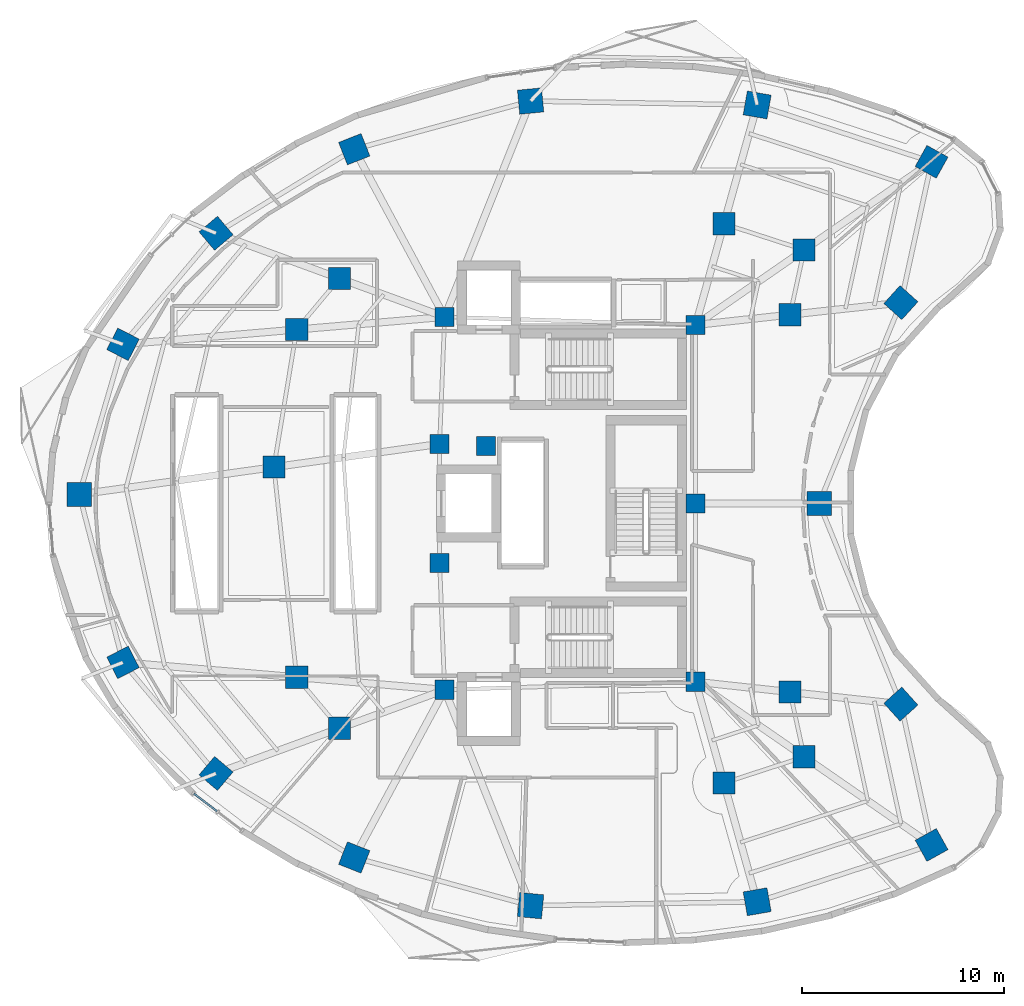
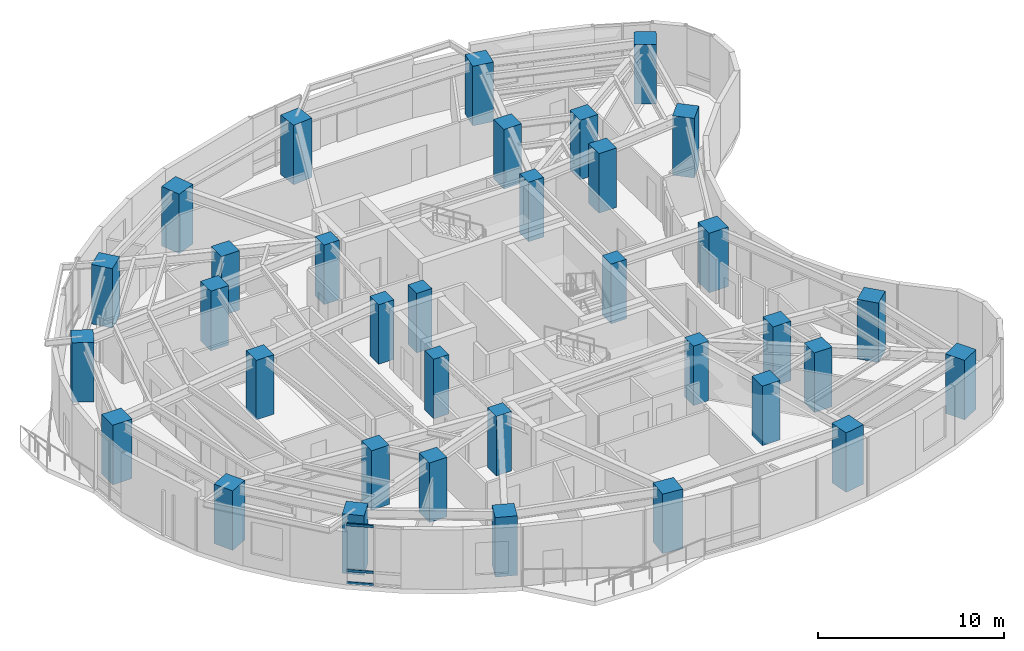
# One storey, part 1 of 15: 35 columns, 3 members, 1 element without a shape of its own.
"""IFC4 building model written with IfcOpenShell, lengths in metres."""

import ifcopenshell
import ifcopenshell.guid

model = None  # the IFC model being written
_history = None  # IfcOwnerHistory: only IFC2X3 demands one
_inside = {}  # id of a spatial element -> (the spatial element, [elements in it])
_under = {}  # id of a project, library or spatial element -> (it, [spatial elements below it])
_declared = {}  # id of a project -> (the project, [libraries it declares])
_typed = {}  # id of a type object -> (the type object, [elements of that type])
_made_of = {}  # id of a material, layer set ... -> (it, [elements and type objects made of it])


def new_model(schema):
    """Start an empty IFC model of exactly this schema.

    Asked for "IFC4X3", IfcOpenShell would pick the latest addendum, in which some entities
    have other attributes; the version numbers below select the first issue.
    IFC2X3 requires an IfcOwnerHistory on every rooted entity: one is made here for all.
    """
    global model, _history
    if schema == "IFC4X3":
        model = ifcopenshell.file(schema_version=(4, 3, 0, 0))
    else:
        model = ifcopenshell.file(schema=schema)
    _inside.clear()
    _under.clear()
    _declared.clear()
    _typed.clear()
    _made_of.clear()
    _history = None
    if model.schema == "IFC2X3":
        org = make("IfcOrganization", Name="unknown")
        user = make(
            "IfcPersonAndOrganization",
            ThePerson=make("IfcPerson", FamilyName="unknown"),
            TheOrganization=org,
        )
        app = make(
            "IfcApplication",
            ApplicationDeveloper=org,
            Version="unknown",
            ApplicationFullName="unknown",
            ApplicationIdentifier="unknown",
        )
        _history = make(
            "IfcOwnerHistory",
            OwningUser=user,
            OwningApplication=app,
            ChangeAction="ADDED",
            CreationDate=0,
        )
    return model


def make(cls, **values):
    """One entity of the class cls with the attributes given. An attribute that is None is left unset."""
    return model.create_entity(
        cls, **{name: value for name, value in values.items() if value is not None}
    )


def rooted(cls, **values):
    """An entity with a GlobalId (a new one), such as an element, a storey or a relation."""
    return make(cls, GlobalId=ifcopenshell.guid.new(), OwnerHistory=_history, **values)


def si_unit(unit_type, name, prefix=None):
    """IfcSIUnit, for example si_unit("LENGTHUNIT", "METRE", prefix="MILLI")."""
    return make("IfcSIUnit", UnitType=unit_type, Prefix=prefix, Name=name)


def assignment(units):
    """IfcUnitAssignment: the units of a project."""
    return None if units is None else make("IfcUnitAssignment", Units=units)


def point(xyz):
    """IfcCartesianPoint."""
    return None if xyz is None else make("IfcCartesianPoint", Coordinates=xyz)


def direction(xyz):
    """IfcDirection."""
    return None if xyz is None else make("IfcDirection", DirectionRatios=xyz)


def frame(location, z_axis=None, x_axis=None):
    """IfcAxis2Placement3D, a coordinate frame: its origin and axes. An axis left out is left unset."""
    return make(
        "IfcAxis2Placement3D",
        Location=point(location),
        Axis=direction(z_axis),
        RefDirection=direction(x_axis),
    )


def frame_2d(location, x_axis=None):
    """IfcAxis2Placement2D, a coordinate frame in the plane: its origin and x axis."""
    return make(
        "IfcAxis2Placement2D", Location=point(location), RefDirection=direction(x_axis)
    )


def origin():
    """The frame at (0, 0, 0) with its axes left unset."""
    return frame((0.0, 0.0, 0.0))


def origin_2d():
    """The frame at (0, 0) in the plane with its x axis left unset."""
    return frame_2d((0.0, 0.0))


def place(relative_to, where):
    """IfcLocalPlacement: puts the frame where relative to a parent placement (None: the world)."""
    return make(
        "IfcLocalPlacement", PlacementRelTo=relative_to, RelativePlacement=where
    )


def context(
    kind, dimensions, precision=None, world=None, true_north=None, identifier=None
):
    """IfcGeometricRepresentationContext, for example the 3D "Model" context."""
    return make(
        "IfcGeometricRepresentationContext",
        ContextIdentifier=identifier,
        ContextType=kind,
        CoordinateSpaceDimension=dimensions,
        Precision=precision,
        WorldCoordinateSystem=world,
        TrueNorth=true_north,
    )


def subcontext(parent, identifier, kind, view, scale=None):
    """IfcGeometricRepresentationSubContext, for example "Body" below "Model"."""
    return make(
        "IfcGeometricRepresentationSubContext",
        ContextIdentifier=identifier,
        ContextType=kind,
        ParentContext=parent,
        TargetScale=scale,
        TargetView=view,
    )


def project(units=None, contexts=None):
    """IfcProject with its units and contexts."""
    return rooted(
        "IfcProject",
        Name="project",
        RepresentationContexts=contexts,
        UnitsInContext=assignment(units),
    )


def spatial(cls, under=None, at=None, **own):
    """A site, building, storey or space (cls), placed at a placement, below another one or the project."""
    s = rooted(cls, ObjectPlacement=at, **own)
    if under is not None:
        _under.setdefault(under.id(), (under, []))[1].append(s)
    return s


def profile(cls, at=None, kind="AREA", **sizes):
    """A parametric profile (cls). Its sizes go by their IFC names, for example OverallWidth=200.0."""
    return make(cls, ProfileType=kind, Position=at, **sizes)


def rectangle(**sizes):
    """IfcRectangleProfileDef."""
    return profile("IfcRectangleProfileDef", **sizes)


def extrude(swept, where, along, depth):
    """IfcExtrudedAreaSolid: the profile swept, set in the frame where, extruded along a direction by depth."""
    return make(
        "IfcExtrudedAreaSolid",
        SweptArea=swept,
        Position=where,
        ExtrudedDirection=direction(along),
        Depth=depth,
    )


def shape(context_of_items, identifier, shape_type, items):
    """IfcShapeRepresentation: the items that make up one representation, for example the "Body"."""
    return make(
        "IfcShapeRepresentation",
        ContextOfItems=context_of_items,
        RepresentationIdentifier=identifier,
        RepresentationType=shape_type,
        Items=items,
    )


def material(Name=None, Category=None):
    """IfcMaterial."""
    return make("IfcMaterial", Name=Name, Category=Category)


def layer(
    of_material, thickness, ventilated=None, Name=None, Category=None, Priority=None
):
    """IfcMaterialLayer: one layer of a wall or slab, of a material (None: an air gap)."""
    return make(
        "IfcMaterialLayer",
        Material=of_material,
        LayerThickness=thickness,
        IsVentilated=ventilated,
        Name=Name,
        Category=Category,
        Priority=Priority,
    )


def layer_set(layers, Name=None):
    """IfcMaterialLayerSet."""
    return make("IfcMaterialLayerSet", MaterialLayers=layers, LayerSetName=Name)


def material_profile(
    of_material, cross_section, Name=None, Category=None, Priority=None
):
    """IfcMaterialProfile: a cross section and its material."""
    return make(
        "IfcMaterialProfile",
        Name=Name,
        Material=of_material,
        Profile=cross_section,
        Priority=Priority,
        Category=Category,
    )


def profile_set(profiles, Name=None, composite=None):
    """IfcMaterialProfileSet."""
    return make(
        "IfcMaterialProfileSet",
        Name=Name,
        MaterialProfiles=profiles,
        CompositeProfile=composite,
    )


def made_of(thing, what):
    """Note that an element or type object is made of a material, layer set ...; save() writes the relation."""
    if what is not None:
        _made_of.setdefault(what.id(), (what, []))[1].append(thing)
    return thing


def type_object(cls, material=None, **own):
    """A type object (cls), such as IfcWallType, which elements share."""
    return made_of(rooted(cls, **own), material)


def element(
    cls,
    number,
    at=None,
    inside=None,
    cuts=None,
    type_object=None,
    material=None,
    context=None,
    identifier="Body",
    shape_type=None,
    held_by="IfcProductDefinitionShape",
    body=None,
    shapes=None,
    **own,
):
    """One element of the class cls, such as IfcWall. Its Tag is "e" and its number.

    at: its placement. inside: the storey or other place that contains it. cuts: it is an
    opening in that element (IfcRelVoidsElement). A single representation is given by context,
    identifier, shape_type and body (its items); several are given by shapes. held_by: the class
    of the entity that holds the representations. save() writes the other relations.
    """
    e = rooted(cls, Tag="e%d" % number, ObjectPlacement=at, **own)
    if body is not None:
        shapes = [shape(context, identifier, shape_type, body)]
    if shapes is not None:
        e.Representation = make(held_by, Representations=shapes)
    if inside is not None:
        _inside.setdefault(inside.id(), (inside, []))[1].append(e)
    if cuts is not None:
        rooted(
            "IfcRelVoidsElement", RelatingBuildingElement=cuts, RelatedOpeningElement=e
        )
    if type_object is not None:
        _typed.setdefault(type_object.id(), (type_object, []))[1].append(e)
    return made_of(e, material)


def aggregate(whole, parts):
    """IfcRelAggregates: a whole, such as a stair, and the parts it consists of."""
    return rooted("IfcRelAggregates", RelatingObject=whole, RelatedObjects=parts)


def save(model, path):
    """Write the relations noted so far, then the file.

    IfcRelAggregates (storeys below a building ...), IfcRelContainedInSpatialStructure (elements
    in a storey), IfcRelDefinesByType, IfcRelAssociatesMaterial and IfcRelDeclares: one each for
    every whole, place, type object, material and project.
    """
    for whole, parts in _under.values():
        aggregate(whole, parts)
    for where, things in _inside.values():
        rooted(
            "IfcRelContainedInSpatialStructure",
            RelatedElements=things,
            RelatingStructure=where,
        )
    for kind, things in _typed.values():
        rooted("IfcRelDefinesByType", RelatedObjects=things, RelatingType=kind)
    for what, things in _made_of.values():
        rooted("IfcRelAssociatesMaterial", RelatedObjects=things, RelatingMaterial=what)
    for by, libraries in _declared.values():
        rooted("IfcRelDeclares", RelatingContext=by, RelatedDefinitions=libraries)
    model.write(path)


model = new_model("IFC4")

# Units and contexts
model_context = context("Model", 3, precision=1e-05, world=origin(), true_north=direction((0.0, 1.0)))
body_context = subcontext(model_context, "Body", "Model", "MODEL_VIEW")
ifc_project = project(units=[si_unit("LENGTHUNIT", "METRE"), si_unit("AREAUNIT", "SQUARE_METRE"), si_unit("VOLUMEUNIT", "CUBIC_METRE"), si_unit("PLANEANGLEUNIT", "RADIAN"), si_unit("MASSUNIT", "GRAM", prefix="KILO")], contexts=[model_context])

# Site, building, storey
site_placement = place(None, origin())
site = spatial("IfcSite", under=ifc_project, at=site_placement, CompositionType="ELEMENT")
building_placement = place(site_placement, origin())
building = spatial("IfcBuilding", under=site, at=building_placement, Name="Korentha Bioscience Tower", CompositionType="ELEMENT")
storey_placement = place(building_placement, frame((0.0, 0.0, 111.0)))
storey = spatial("IfcBuildingStorey", under=building, at=storey_placement, Name="L25", CompositionType="ELEMENT", Elevation=111.0)

# Columns
ifc_material_1 = material(Name="Concrete C65", Category="concrete")
ifc_material_profile_1 = material_profile(ifc_material_1, rectangle(XDim=0.949951171875, YDim=0.949951171875, at=origin_2d()), Name="Concrete C65")
ifc_profile_set_1 = profile_set([ifc_material_profile_1], Name="Concrete C65 (COL-CP09)")
column_type_1 = type_object("IfcColumnType", Name="Core Pilaster Column RC 950x950", PredefinedType="PILASTER", material=ifc_profile_set_1)
for number, where, z_axis, x_axis, name in (
    (1, (37.550048828125, 35.85009765625, -0.00048828125), (0.0, 0.0, 1.0), (1.0, 0.0, 0.0), "L25 Core Pilaster CP-01"),
    (2, (25.10009765625, 36.25, -0.00048828125), (0.0, 0.0, 1.0), (1.0, 0.0, 0.0), "L25 Core Pilaster CP-02"),
    (3, (24.85009765625, 29.949951171875, -0.00048828125), (0.0, 0.0, 1.0), (1.0, 0.0, 0.0), "L25 Core Pilaster CP-03"),
    (4, (27.14990234375, 29.85009765625, -0.00048828125), (0.0, 0.0, 1.0), (1.0, 0.0, 0.0), "L25 Core Pilaster CP-04"),
    (5, (24.85009765625, 24.050048828125, -0.00048828125), (0.0, 0.0, 1.0), (1.0, 0.0, 0.0), "L25 Core Pilaster CP-05"),
    (6, (25.10009765625, 17.75, -0.00048828125), (0.0, 0.0, 1.0), (1.0, 0.0, 0.0), "L25 Core Pilaster CP-06"),
    (7, (37.550048828125, 18.14990234375, -0.00048828125), (0.0, 0.0, 1.0), (1.0, 0.0, 0.0), "L25 Core Pilaster CP-07"),
    (8, (37.550048828125, 27.0, -0.00048828125), (0.0, 0.0, 1.0), (1.0, 0.0, 0.0), "L25 Core Pilaster CP-08"),
):
    element("IfcColumn", number, at=place(storey_placement, frame(where, z_axis=z_axis, x_axis=x_axis)), inside=storey, type_object=column_type_1, Name=name, PredefinedType="PILASTER", context=body_context, shape_type="SweptSolid", body=[
        extrude(rectangle(XDim=0.949951171875, YDim=0.949951171875, at=origin_2d()), origin(), (0.0, 0.0, 1.0), 3.90087890625),
    ])
ifc_material_2 = material(Name="Concrete C80", Category="concrete")
ifc_material_profile_2 = material_profile(ifc_material_2, rectangle(XDim=1.10009765625, YDim=1.10009765625, at=origin_2d()), Name="Concrete C80")
ifc_profile_set_2 = profile_set([ifc_material_profile_2], Name="Concrete C80 (COL-MR11)")
column_type_2 = type_object("IfcColumnType", Name="Mid-Ring Lab Column RC 1100x1100", PredefinedType="COLUMN", material=ifc_profile_set_2)
for number, where, z_axis, x_axis, name in (
    (9, (42.93603515625, 39.57470703125, -0.00048828125), (0.0, 0.0, 1.0), (1.0, 0.0, 0.0), "L25 Mid-Ring Column 01"),
    (10, (38.954833984375, 40.870849609375, -0.00048828125), (0.0, 0.0, 1.0), (1.0, 0.0, 0.0), "L25 Mid-Ring Column 02"),
    (11, (19.882568359375, 38.158935546875, -0.00048828125), (0.0, 0.0, 1.0), (1.0, 0.0, 0.0), "L25 Mid-Ring Column 05"),
    (12, (17.75927734375, 35.6240234375, -0.00048828125), (0.0, 0.0, 1.0), (1.0, 0.0, 0.0), "L25 Mid-Ring Column 06"),
    (13, (16.627197265625, 28.796630859375, -0.00048828125), (0.0, 0.0, 1.0), (1.0, 0.0, 0.0), "L25 Mid-Ring Column 07"),
    (14, (17.75927734375, 18.3759765625, -0.00048828125), (0.0, 0.0, 1.0), (1.0, 0.0, 0.0), "L25 Mid-Ring Column 08"),
    (15, (19.882568359375, 15.841064453125, -0.00048828125), (0.0, 0.0, 1.0), (1.0, 0.0, 0.0), "L25 Mid-Ring Column 09"),
    (16, (38.954833984375, 13.129150390625, -0.00048828125), (0.0, 0.0, 1.0), (1.0, 0.0, 0.0), "L25 Mid-Ring Column 12"),
    (17, (42.93603515625, 14.42529296875, -0.00048828125), (0.0, 0.0, 1.0), (1.0, 0.0, 0.0), "L25 Mid-Ring Column 13"),
    (18, (42.235595703125, 17.639404296875, -0.00048828125), (0.0, 0.0, 1.0), (1.0, 0.0, 0.0), "L25 Mid-Ring Column 14"),
    (19, (42.235595703125, 36.360595703125, -0.00048828125), (0.0, 0.0, 1.0), (1.0, 0.0, 0.0), "L25 Mid-Ring Column 16"),
):
    element("IfcColumn", number, at=place(storey_placement, frame(where, z_axis=z_axis, x_axis=x_axis)), inside=storey, type_object=column_type_2, Name=name, PredefinedType="COLUMN", context=body_context, shape_type="SweptSolid", body=[
        extrude(rectangle(XDim=1.10009765625, YDim=1.10009765625, at=origin_2d()), origin(), (0.0, 0.0, 1.0), 3.90087890625),
    ])
ifc_material_profile_3 = material_profile(ifc_material_2, rectangle(XDim=1.199951171875, YDim=1.199951171875, at=origin_2d()), Name="Concrete C80")
ifc_profile_set_3 = profile_set([ifc_material_profile_3], Name="Concrete C80 (COL-P12)")
column_type_3 = type_object("IfcColumnType", Name="Perimeter Column RC 1200x1200", PredefinedType="COLUMN", material=ifc_profile_set_3)
for number, where, z_axis, x_axis, name in (
    (20, (49.2587890625, 43.947021484375, -0.00048828125), (0.0, 0.0, 1.0), (-0.874535078577, 0.484962262797, 0.0), "L25 Perimeter Column 01"),
    (21, (40.604248046875, 46.764892578125, -0.00048828125), (0.0, 0.0, 1.0), (-0.984868307662, 0.173304404339, 0.0), "L25 Perimeter Column 02"),
    (22, (29.3642578125, 46.959228515625, -0.00048828125), (0.0, 0.0, 1.0), (0.995462868748, 0.095150811579, 0.0), "L25 Perimeter Column 03"),
    (23, (20.614990234375, 44.5693359375, -0.00048828125), (0.0, 0.0, 1.0), (0.930225540858, 0.366988341962, 0.0), "L25 Perimeter Column 04"),
    (24, (13.7578125, 40.400146484375, -0.00048828125), (0.0, 0.0, 1.0), (0.764246456939, 0.644924300253, 0.0), "L25 Perimeter Column 05"),
    (25, (9.141845703125, 34.889404296875, -0.00048828125), (0.0, 0.0, 1.0), (0.453057191132, 0.891481453292, 0.0), "L25 Perimeter Column 06"),
    (26, (6.97412109375, 27.4423828125, -0.00048828125), (0.0, 0.0, 1.0), (0.0, 1.0, 0.0), "L25 Perimeter Column 07"),
    (27, (9.141845703125, 19.110595703125, -0.00048828125), (0.0, 0.0, 1.0), (-0.453057191132, 0.891481453292, 0.0), "L25 Perimeter Column 08"),
    (28, (13.7578125, 13.599853515625, -0.00048828125), (0.0, 0.0, 1.0), (-0.764246456939, 0.644924300253, 0.0), "L25 Perimeter Column 09"),
    (29, (20.614990234375, 9.4306640625, -0.00048828125), (0.0, 0.0, 1.0), (-0.930225540858, 0.366988341962, 0.0), "L25 Perimeter Column 10"),
    (30, (29.3642578125, 7.040771484375, -0.00048828125), (0.0, 0.0, 1.0), (-0.995462868748, 0.095150811579, 0.0), "L25 Perimeter Column 11"),
    (31, (40.604248046875, 7.235107421875, -0.00048828125), (0.0, 0.0, 1.0), (0.984868307662, 0.173304404339, 0.0), "L25 Perimeter Column 12"),
    (32, (49.2587890625, 10.052978515625, -0.00048828125), (0.0, 0.0, 1.0), (0.874535078577, 0.484962262797, 0.0), "L25 Perimeter Column 13"),
    (33, (47.736083984375, 17.040283203125, -0.00048828125), (0.0, 0.0, 1.0), (-0.669130606359, 0.743144825477, 0.0), "L25 Perimeter Column 14"),
    (34, (43.680908203125, 27.0, -0.00048828125), (0.0, 0.0, 1.0), (0.0, 1.0, 0.0), "L25 Perimeter Column 15"),
    (35, (47.736083984375, 36.959716796875, -0.00048828125), (0.0, 0.0, 1.0), (0.669130606359, 0.743144825477, 0.0), "L25 Perimeter Column 16"),
):
    element("IfcColumn", number, at=place(storey_placement, frame(where, z_axis=z_axis, x_axis=x_axis)), inside=storey, type_object=column_type_3, Name=name, PredefinedType="COLUMN", context=body_context, shape_type="SweptSolid", body=[
        extrude(rectangle(XDim=1.199951171875, YDim=1.199951171875, at=origin_2d()), origin(), (0.0, 0.0, 1.0), 3.90087890625),
    ])

# Curtain wall, members
ifc_material_3 = material(Name="Thermally Broken Aluminium Frame", Category="aluminium")
ifc_layer = layer(ifc_material_3, 0.219970703125, Name="Thermally Broken Aluminium Frame")
ifc_layer_set = layer_set([ifc_layer], Name="Thermally Broken Aluminium Frame (CW-T1)")
curtain_wall_type = type_object("IfcCurtainWallType", Name="Standard Bioscience Lab Unitised Curtain Wall CW-T1", PredefinedType="USERDEFINED", material=ifc_layer_set)
curtain_wall_placement = place(storey_placement, origin())
curtain_wall = element("IfcCurtainWall", 36, at=curtain_wall_placement, inside=storey, type_object=curtain_wall_type, Name="L25 Curtain Wall 25", ObjectType="UNITISED", PredefinedType="USERDEFINED")
ifc_material_4 = material(Name="Anodised Aluminium 6063-T6", Category="aluminium")
ifc_material_profile_4 = material_profile(ifc_material_4, rectangle(XDim=0.090087890625, YDim=0.159912109375, at=origin_2d()), Name="Anodised Aluminium 6063-T6")
ifc_profile_set_4 = profile_set([ifc_material_profile_4], Name="Anodised Aluminium 6063-T6 (CW-TRN)")
member_type = type_object("IfcMemberType", Name="Transom RECT 90x160", PredefinedType="USERDEFINED", material=ifc_profile_set_4)
member_1_placement = place(storey_placement, frame((12.659912109375, 12.601318359375, 0.044921875), z_axis=(0.794559026989, -0.607186917374, 0.0), x_axis=(0.607186917374, 0.794559026989, 0.0)))
member_1 = element("IfcMember", 37, at=member_1_placement, type_object=member_type, Name="CW-L25-25 Bay 1 Transom 1", ObjectType="TRANSOM", PredefinedType="USERDEFINED", context=body_context, shape_type="SweptSolid", body=[
    extrude(rectangle(XDim=0.090087890625, YDim=0.159912109375, at=origin_2d()), origin(), (0.0, 0.0, 1.0), 1.4462890625),
])
member_2_placement = place(storey_placement, frame((12.659912109375, 12.601318359375, 0.85009765625), z_axis=(0.794559026989, -0.607186917374, 0.0), x_axis=(0.607186917374, 0.794559026989, 0.0)))
member_2 = element("IfcMember", 38, at=member_2_placement, type_object=member_type, Name="CW-L25-25 Bay 1 Transom 2", ObjectType="TRANSOM", PredefinedType="USERDEFINED", context=body_context, shape_type="SweptSolid", body=[
    extrude(rectangle(XDim=0.090087890625, YDim=0.159912109375, at=origin_2d()), origin(), (0.0, 0.0, 1.0), 1.4462890625),
])
member_3_placement = place(storey_placement, frame((12.659912109375, 12.601318359375, 3.85498046875), z_axis=(0.794559026989, -0.607186917374, 0.0), x_axis=(0.607186917374, 0.794559026989, 0.0)))
member_3 = element("IfcMember", 39, at=member_3_placement, type_object=member_type, Name="CW-L25-25 Bay 1 Transom 3", ObjectType="TRANSOM", PredefinedType="USERDEFINED", context=body_context, shape_type="SweptSolid", body=[
    extrude(rectangle(XDim=0.090087890625, YDim=0.159912109375, at=origin_2d()), origin(), (0.0, 0.0, 1.0), 1.4462890625),
])
aggregate(curtain_wall, [member_1, member_2, member_3])

save(model, "model.ifc")
